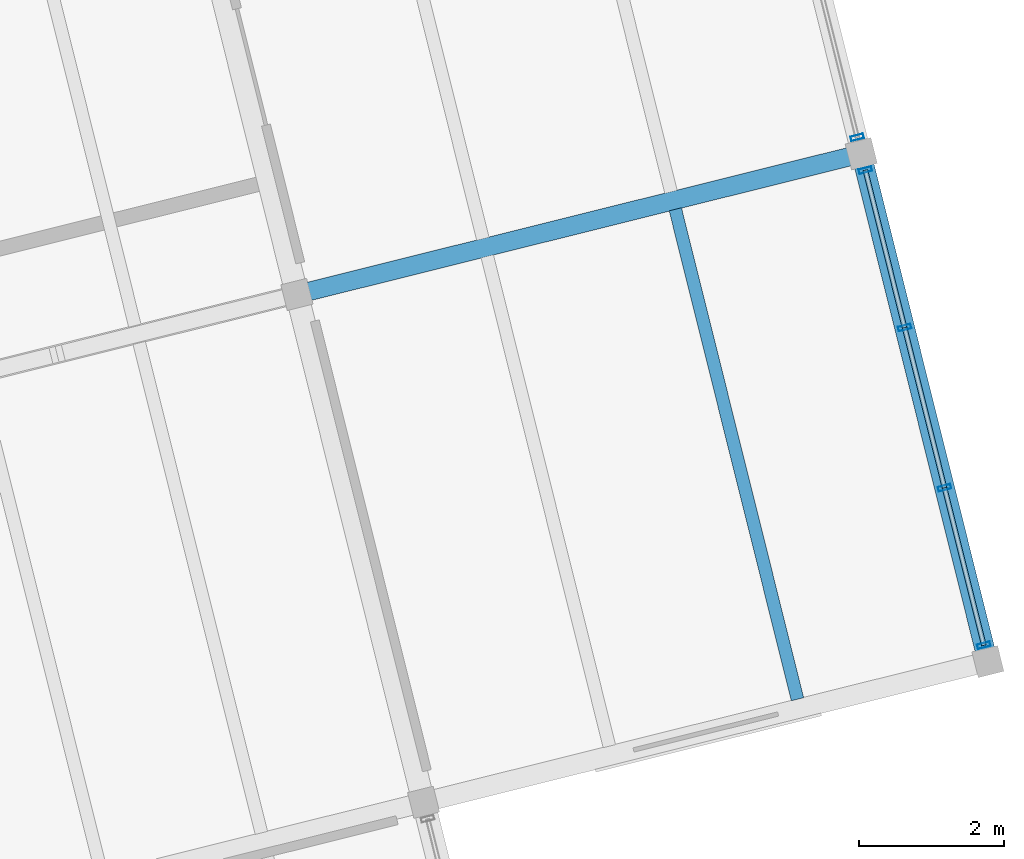
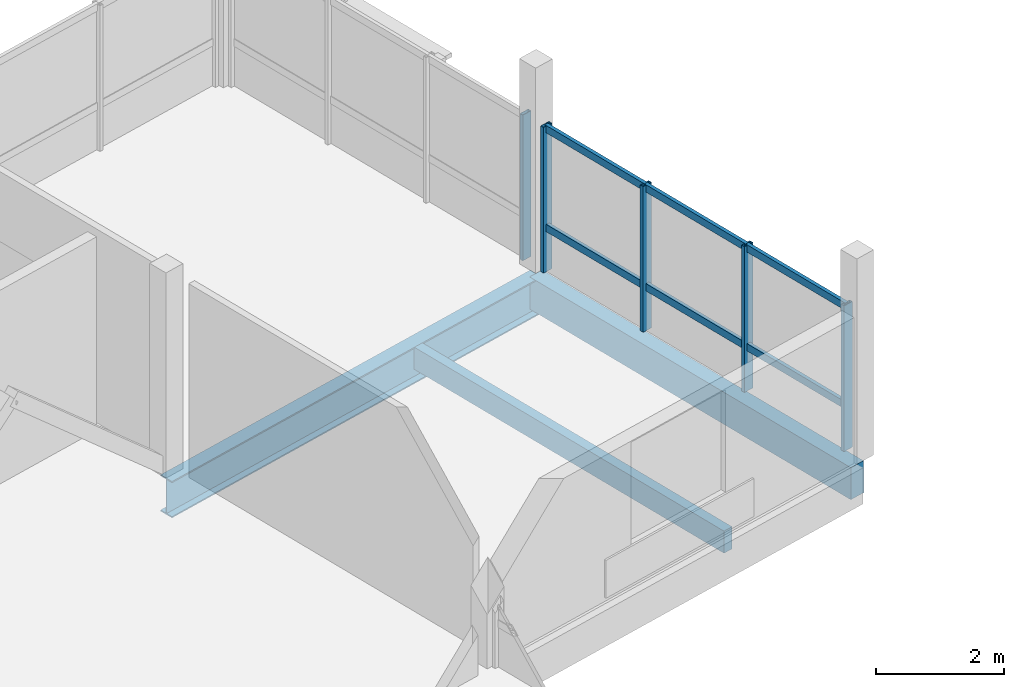
# One storey, part 14 of 26: 11 members, 3 beams, 2 elements without a shape of their own.
"""IFC4 building model written with IfcOpenShell, lengths in metres."""

from ifc_helpers import new_model, si_unit, direction, frame, origin, origin_2d, place, context, subcontext, project, spatial, rectangle, hollow_rectangle, i_section, extrude, material, layer, layer_set, material_profile, profile_set, type_object, element, aggregate, save


model = new_model("IFC4")

# Units and contexts
model_context = context("Model", 3, precision=1e-05, world=origin(), true_north=direction((0.0, 1.0)))
body_context = subcontext(model_context, "Body", "Model", "MODEL_VIEW")
ifc_project = project(units=[si_unit("LENGTHUNIT", "METRE"), si_unit("AREAUNIT", "SQUARE_METRE"), si_unit("VOLUMEUNIT", "CUBIC_METRE"), si_unit("PLANEANGLEUNIT", "RADIAN"), si_unit("MASSUNIT", "GRAM", prefix="KILO")], contexts=[model_context])

# Site, building, storey
site_placement = place(None, origin())
site = spatial("IfcSite", under=ifc_project, at=site_placement, CompositionType="ELEMENT")
building_placement = place(site_placement, origin())
building = spatial("IfcBuilding", under=site, at=building_placement, Name="Meriwether Solvik Hall", CompositionType="ELEMENT")
storey_placement = place(building_placement, frame((0.0, 0.0, 41.699951171875)))
storey = spatial("IfcBuildingStorey", under=building, at=storey_placement, Name="L10", CompositionType="ELEMENT", Elevation=41.699951171875)

# Beams
ifc_material_1 = material(Name="Glulam Douglas-Fir 24F-V8 GL28h", Category="wood")
ifc_material_profile_1 = material_profile(ifc_material_1, rectangle(XDim=0.27294921875, YDim=0.610107421875, at=origin_2d()), Name="GLB-273X610")
ifc_profile_set_1 = profile_set([ifc_material_profile_1], Name="Glulam Douglas-Fir 24F-V8 GL28h")
beam_type_1 = type_object("IfcBeamType", Name="BM-GL-273X610", PredefinedType="SPANDREL", material=ifc_profile_set_1)
beam_1_placement = place(storey_placement, frame((107.95458984375, 65.234619140625, -0.48486328125), z_axis=(-0.241937193493, 0.970291911955, 0.0), x_axis=(-0.970291911955, -0.241937193493, 0.0)))
element("IfcBeam", 1, at=beam_1_placement, inside=storey, type_object=beam_type_1, Name="Tower Girder T7:TC-TD (L10)", PredefinedType="SPANDREL", context=body_context, shape_type="SweptSolid", body=[
    extrude(rectangle(XDim=0.27294921875, YDim=0.610107421875, at=origin_2d()), origin(), (0.0, 0.0, 1.0), 7.199951171875),
])
ifc_material_2 = material(Name="Steel A992 Grade 50", Category="steel")
ifc_material_profile_2 = material_profile(ifc_material_2, i_section(OverallWidth=0.256103515625, OverallDepth=0.693115234375, WebThickness=0.014404296875, FlangeThickness=0.023681640625, at=origin_2d()), Name="W27X114")
ifc_profile_set_2 = profile_set([ifc_material_profile_2], Name="Steel A992 Grade 50")
beam_type_2 = type_object("IfcBeamType", Name="BM-STL-W27X114", PredefinedType="BEAM", material=ifc_profile_set_2)
beam_2_placement = place(storey_placement, frame((98.4501953125, 70.285400390625, -0.5263671875), z_axis=(0.970298475929, 0.241910867076, 0.0), x_axis=(-0.241910867076, 0.970298475929, 0.0)))
element("IfcBeam", 2, at=beam_2_placement, inside=storey, type_object=beam_type_2, Name="Tower Girder TD:T6-T7 (L10)", PredefinedType="BEAM", context=body_context, shape_type="SweptSolid", body=[
    extrude(i_section(OverallWidth=0.256103515625, OverallDepth=0.693115234375, WebThickness=0.014404296875, FlangeThickness=0.023681640625, at=origin_2d()), origin(), (0.0, 0.0, 1.0), 8.0),
])

# Curtain wall, members
ifc_material_3 = material(Name="Thermally Broken Anodised Aluminium 6063-T6 and Low-E Glass", Category="aluminium")
ifc_layer_1 = layer(ifc_material_3, 0.179931640625)
ifc_layer_set_1 = layer_set([ifc_layer_1], Name="Thermally Broken Anodised Aluminium 6063-T6 and Low-E Glass")
curtain_wall_type_1 = type_object("IfcCurtainWallType", Name="CW-UNIT-D", PredefinedType="USERDEFINED", material=ifc_layer_set_1)
curtain_wall_1_placement = place(storey_placement, origin())
curtain_wall_1 = element("IfcCurtainWall", 3, at=curtain_wall_1_placement, inside=storey, type_object=curtain_wall_type_1, Name="Curtain Wall E3_B0 (L10)", ObjectType="UNITISED CURTAIN WALL", PredefinedType="USERDEFINED")
ifc_material_4 = material(Name="Anodised Aluminium 6063-T6", Category="aluminium")
ifc_material_profile_3 = material_profile(ifc_material_4, hollow_rectangle(XDim=0.06494140625, YDim=0.179931640625, WallThickness=0.00439453125, at=origin_2d()), Name="CWM-65X180")
ifc_profile_set_3 = profile_set([ifc_material_profile_3], Name="Anodised Aluminium 6063-T6")
member_type_1 = type_object("IfcMemberType", Name="CW-MUL-65X180", PredefinedType="MULLION", material=ifc_profile_set_3)
member_1_placement = place(storey_placement, frame((106.268798828125, 71.9951171875, 0.0), z_axis=(0.0, 0.0, 1.0), x_axis=(0.241921897937, -0.970295725693, 0.0)))
member_1 = element("IfcMember", 4, at=member_1_placement, type_object=member_type_1, Name="Curtain Wall Mullion 1", PredefinedType="MULLION", context=body_context, shape_type="SweptSolid", body=[
    extrude(hollow_rectangle(XDim=0.06494140625, YDim=0.179931640625, WallThickness=0.00439453125, at=origin_2d()), origin(), (0.0, 0.0, 1.0), 2.77001953125),
])
member_2_placement = place(storey_placement, frame((106.808837890625, 69.8291015625, 0.0), z_axis=(0.0, 0.0, 1.0), x_axis=(0.241921897937, -0.970295725693, 0.0)))
member_2 = element("IfcMember", 5, at=member_2_placement, type_object=member_type_1, Name="Curtain Wall Mullion 2", PredefinedType="MULLION", context=body_context, shape_type="SweptSolid", body=[
    extrude(hollow_rectangle(XDim=0.06494140625, YDim=0.179931640625, WallThickness=0.00439453125, at=origin_2d()), origin(), (0.0, 0.0, 1.0), 2.77001953125),
])
member_3_placement = place(storey_placement, frame((107.358154296875, 67.626220703125, 0.0), z_axis=(0.0, 0.0, 1.0), x_axis=(0.241921897937, -0.970295725693, 0.0)))
member_3 = element("IfcMember", 6, at=member_3_placement, type_object=member_type_1, Name="Curtain Wall Mullion 3", PredefinedType="MULLION", context=body_context, shape_type="SweptSolid", body=[
    extrude(hollow_rectangle(XDim=0.06494140625, YDim=0.179931640625, WallThickness=0.00439453125, at=origin_2d()), origin(), (0.0, 0.0, 1.0), 2.77001953125),
])
member_4_placement = place(storey_placement, frame((107.898193359375, 65.460205078125, 0.0), z_axis=(0.0, 0.0, 1.0), x_axis=(0.241921897937, -0.970295725693, 0.0)))
member_4 = element("IfcMember", 7, at=member_4_placement, type_object=member_type_1, Name="Curtain Wall Mullion 4", PredefinedType="MULLION", context=body_context, shape_type="SweptSolid", body=[
    extrude(hollow_rectangle(XDim=0.06494140625, YDim=0.179931640625, WallThickness=0.00439453125, at=origin_2d()), origin(), (0.0, 0.0, 1.0), 2.77001953125),
])

# Curtain wall, member
ifc_material_5 = material(Name="Thermally Broken Anodised Aluminium 6063-T6 and Low-E Glass", Category="aluminium")
ifc_layer_2 = layer(ifc_material_5, 0.179931640625)
ifc_layer_set_2 = layer_set([ifc_layer_2], Name="Thermally Broken Anodised Aluminium 6063-T6 and Low-E Glass")
curtain_wall_type_2 = type_object("IfcCurtainWallType", Name="CW-UNIT-E", PredefinedType="USERDEFINED", material=ifc_layer_set_2)
curtain_wall_2_placement = place(storey_placement, origin())
curtain_wall_2 = element("IfcCurtainWall", 8, at=curtain_wall_2_placement, inside=storey, type_object=curtain_wall_type_2, Name="Curtain Wall E3_B1 (L10)", ObjectType="UNITISED CURTAIN WALL", PredefinedType="USERDEFINED")
member_5_placement = place(storey_placement, frame((106.156494140625, 72.4462890625, 0.0), z_axis=(0.0, 0.0, 1.0), x_axis=(0.241921804422, -0.970295749009, 0.0)))
member_5 = element("IfcMember", 9, at=member_5_placement, type_object=member_type_1, Name="Curtain Wall Mullion 4", PredefinedType="MULLION", context=body_context, shape_type="SweptSolid", body=[
    extrude(hollow_rectangle(XDim=0.06494140625, YDim=0.179931640625, WallThickness=0.00439453125, at=origin_2d()), origin(), (0.0, 0.0, 1.0), 2.77001953125),
])
aggregate(curtain_wall_2, [member_5])

# Member
ifc_material_6 = material(Name="Anodised Aluminium 6063-T6", Category="aluminium")
ifc_material_profile_4 = material_profile(ifc_material_6, hollow_rectangle(XDim=0.06494140625, YDim=0.139892578125, WallThickness=0.00439453125, at=origin_2d()), Name="CWT-65X140")
ifc_profile_set_4 = profile_set([ifc_material_profile_4], Name="Anodised Aluminium 6063-T6")
member_type_2 = type_object("IfcMemberType", Name="CW-TRN-65X140", PredefinedType="USERDEFINED", material=ifc_profile_set_4)
member_6_placement = place(storey_placement, frame((106.268798828125, 71.9951171875, 0.8310546875), z_axis=(0.241917978668, -0.970296702868, 0.0), x_axis=(0.970296702868, 0.241917978668, 0.0)))
member_6 = element("IfcMember", 10, at=member_6_placement, type_object=member_type_2, Name="Curtain Wall Transom 1-sill", ObjectType="TRANSOM", PredefinedType="USERDEFINED", context=body_context, shape_type="SweptSolid", body=[
    extrude(hollow_rectangle(XDim=0.06494140625, YDim=0.139892578125, WallThickness=0.00439453125, at=origin_2d()), origin(), (0.0, 0.0, 1.0), 2.232421875),
])

member_7_placement = place(storey_placement, frame((106.268798828125, 71.9951171875, 2.7099609375), z_axis=(0.241917978668, -0.970296702868, 0.0), x_axis=(0.970296702868, 0.241917978668, 0.0)))
member_7 = element("IfcMember", 11, at=member_7_placement, type_object=member_type_2, Name="Curtain Wall Transom 1-head", ObjectType="TRANSOM", PredefinedType="USERDEFINED", context=body_context, shape_type="SweptSolid", body=[
    extrude(hollow_rectangle(XDim=0.06494140625, YDim=0.139892578125, WallThickness=0.00439453125, at=origin_2d()), origin(), (0.0, 0.0, 1.0), 2.232421875),
])

member_8_placement = place(storey_placement, frame((106.808837890625, 69.8291015625, 0.8310546875), z_axis=(0.241953627576, -0.970287814054, 0.0), x_axis=(0.970287814054, 0.241953627576, 0.0)))
member_8 = element("IfcMember", 12, at=member_8_placement, type_object=member_type_2, Name="Curtain Wall Transom 2-sill", ObjectType="TRANSOM", PredefinedType="USERDEFINED", context=body_context, shape_type="SweptSolid", body=[
    extrude(hollow_rectangle(XDim=0.06494140625, YDim=0.139892578125, WallThickness=0.00439453125, at=origin_2d()), origin(), (0.0, 0.0, 1.0), 2.270263671875),
])

member_9_placement = place(storey_placement, frame((106.808837890625, 69.8291015625, 2.7099609375), z_axis=(0.241953627576, -0.970287814054, 0.0), x_axis=(0.970287814054, 0.241953627576, 0.0)))
member_9 = element("IfcMember", 13, at=member_9_placement, type_object=member_type_2, Name="Curtain Wall Transom 2-head", ObjectType="TRANSOM", PredefinedType="USERDEFINED", context=body_context, shape_type="SweptSolid", body=[
    extrude(hollow_rectangle(XDim=0.06494140625, YDim=0.139892578125, WallThickness=0.00439453125, at=origin_2d()), origin(), (0.0, 0.0, 1.0), 2.270263671875),
])

member_10_placement = place(storey_placement, frame((107.358154296875, 67.626220703125, 0.8310546875), z_axis=(0.241917978668, -0.970296702868, 0.0), x_axis=(0.970296702868, 0.241917978668, 0.0)))
member_10 = element("IfcMember", 14, at=member_10_placement, type_object=member_type_2, Name="Curtain Wall Transom 3-sill", ObjectType="TRANSOM", PredefinedType="USERDEFINED", context=body_context, shape_type="SweptSolid", body=[
    extrude(hollow_rectangle(XDim=0.06494140625, YDim=0.139892578125, WallThickness=0.00439453125, at=origin_2d()), origin(), (0.0, 0.0, 1.0), 2.232421875),
])

member_11_placement = place(storey_placement, frame((107.358154296875, 67.626220703125, 2.7099609375), z_axis=(0.241917978668, -0.970296702868, 0.0), x_axis=(0.970296702868, 0.241917978668, 0.0)))
member_11 = element("IfcMember", 15, at=member_11_placement, type_object=member_type_2, Name="Curtain Wall Transom 3-head", ObjectType="TRANSOM", PredefinedType="USERDEFINED", context=body_context, shape_type="SweptSolid", body=[
    extrude(hollow_rectangle(XDim=0.06494140625, YDim=0.139892578125, WallThickness=0.00439453125, at=origin_2d()), origin(), (0.0, 0.0, 1.0), 2.232421875),
])

aggregate(curtain_wall_1, [member_1, member_2, member_3, member_4, member_6, member_7, member_8, member_9, member_10, member_11])

# Beam
ifc_material_7 = material(Name="Glulam Douglas-Fir 24F-V8 GL28h", Category="wood")
ifc_material_profile_5 = material_profile(ifc_material_7, rectangle(XDim=0.175048828125, YDim=0.419921875, at=origin_2d()), Name="GLJ-175X420")
ifc_profile_set_5 = profile_set([ifc_material_profile_5], Name="Glulam Douglas-Fir 24F-V8 GL28h")
beam_type_3 = type_object("IfcBeamType", Name="JST-GL-175X420", PredefinedType="JOIST", material=ifc_profile_set_5)
beam_3_placement = place(storey_placement, frame((105.335205078125, 64.717041015625, -0.389892578125), z_axis=(-0.241906997216, 0.970299440739, 0.0), x_axis=(-0.970299440739, -0.241906997216, 0.0)))
element("IfcBeam", 16, at=beam_3_placement, inside=storey, type_object=beam_type_3, Name="Glulam Floor Joist T6/TC-J2 (L10)", PredefinedType="JOIST", context=body_context, shape_type="SweptSolid", body=[
    extrude(rectangle(XDim=0.175048828125, YDim=0.419921875, at=origin_2d()), origin(), (0.0, 0.0, 1.0), 6.945556640625),
])

save(model, "model.ifc")
